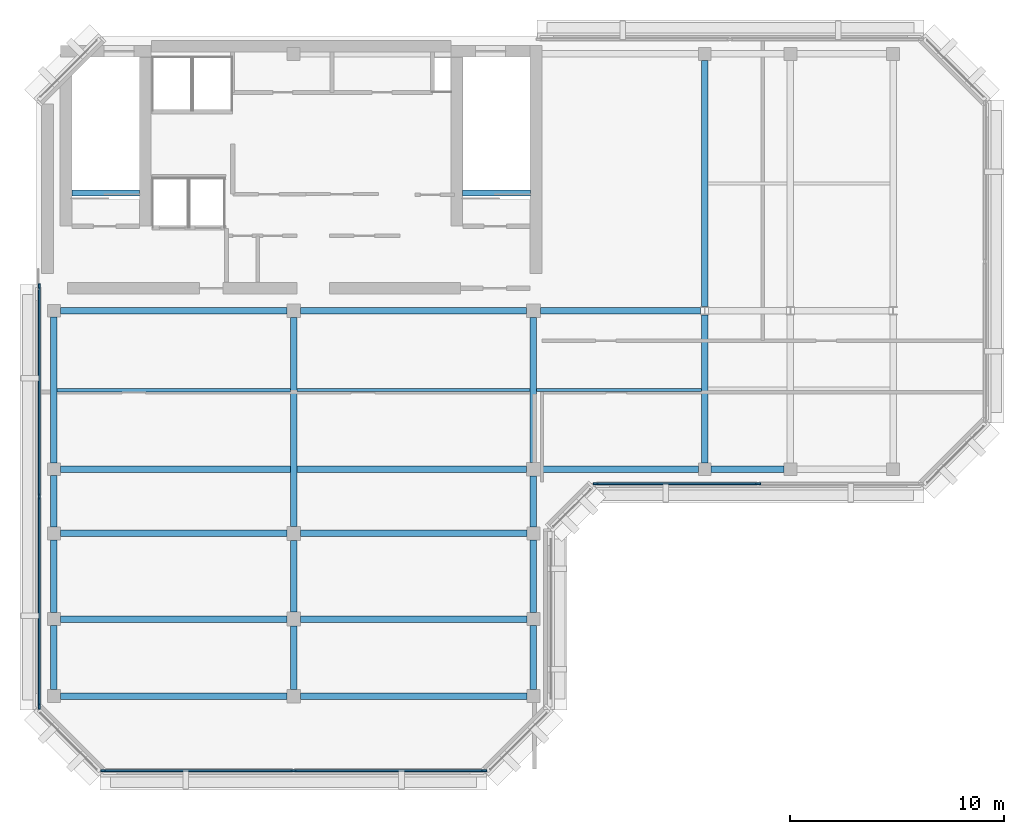
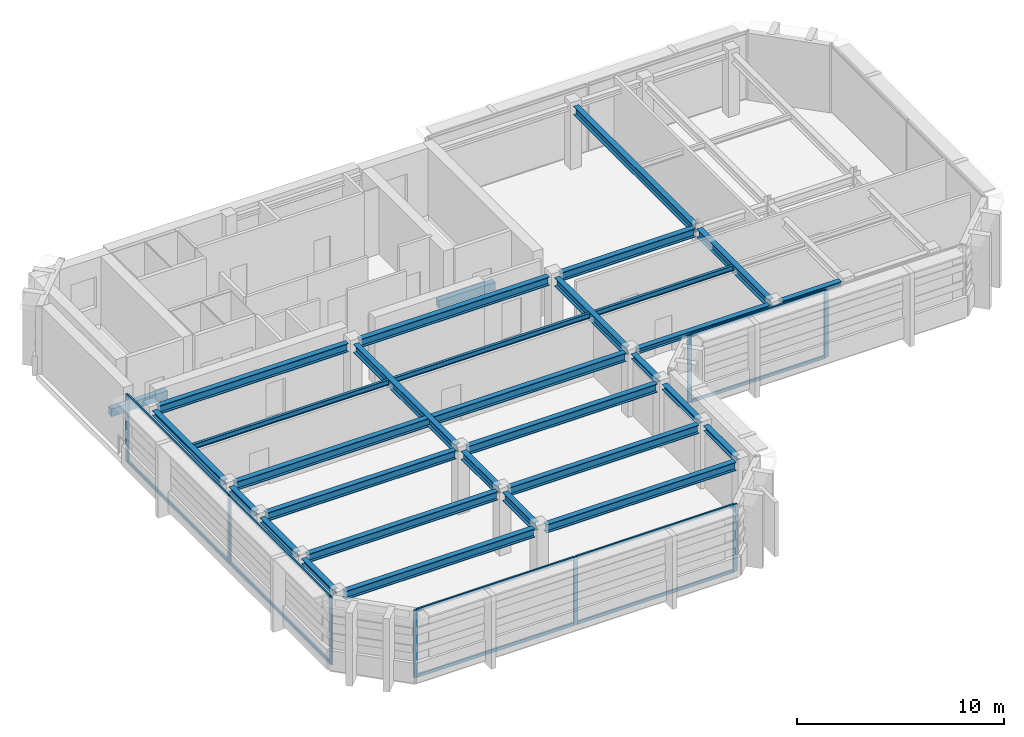
# One storey, part 2 of 7: 30 beams, 18 members, 3 elements without a shape of their own.
"""IFC4 building model written with IfcOpenShell, lengths in metres."""

import ifcopenshell
import ifcopenshell.guid

model = None  # the IFC model being written
_history = None  # IfcOwnerHistory: only IFC2X3 demands one
_inside = {}  # id of a spatial element -> (the spatial element, [elements in it])
_under = {}  # id of a project, library or spatial element -> (it, [spatial elements below it])
_declared = {}  # id of a project -> (the project, [libraries it declares])
_typed = {}  # id of a type object -> (the type object, [elements of that type])
_made_of = {}  # id of a material, layer set ... -> (it, [elements and type objects made of it])


def new_model(schema):
    """Start an empty IFC model of exactly this schema.

    Asked for "IFC4X3", IfcOpenShell would pick the latest addendum, in which some entities
    have other attributes; the version numbers below select the first issue.
    IFC2X3 requires an IfcOwnerHistory on every rooted entity: one is made here for all.
    """
    global model, _history
    if schema == "IFC4X3":
        model = ifcopenshell.file(schema_version=(4, 3, 0, 0))
    else:
        model = ifcopenshell.file(schema=schema)
    _inside.clear()
    _under.clear()
    _declared.clear()
    _typed.clear()
    _made_of.clear()
    _history = None
    if model.schema == "IFC2X3":
        org = make("IfcOrganization", Name="unknown")
        user = make(
            "IfcPersonAndOrganization",
            ThePerson=make("IfcPerson", FamilyName="unknown"),
            TheOrganization=org,
        )
        app = make(
            "IfcApplication",
            ApplicationDeveloper=org,
            Version="unknown",
            ApplicationFullName="unknown",
            ApplicationIdentifier="unknown",
        )
        _history = make(
            "IfcOwnerHistory",
            OwningUser=user,
            OwningApplication=app,
            ChangeAction="ADDED",
            CreationDate=0,
        )
    return model


def make(cls, **values):
    """One entity of the class cls with the attributes given. An attribute that is None is left unset."""
    return model.create_entity(
        cls, **{name: value for name, value in values.items() if value is not None}
    )


def rooted(cls, **values):
    """An entity with a GlobalId (a new one), such as an element, a storey or a relation."""
    return make(cls, GlobalId=ifcopenshell.guid.new(), OwnerHistory=_history, **values)


def si_unit(unit_type, name, prefix=None):
    """IfcSIUnit, for example si_unit("LENGTHUNIT", "METRE", prefix="MILLI")."""
    return make("IfcSIUnit", UnitType=unit_type, Prefix=prefix, Name=name)


def assignment(units):
    """IfcUnitAssignment: the units of a project."""
    return None if units is None else make("IfcUnitAssignment", Units=units)


def point(xyz):
    """IfcCartesianPoint."""
    return None if xyz is None else make("IfcCartesianPoint", Coordinates=xyz)


def direction(xyz):
    """IfcDirection."""
    return None if xyz is None else make("IfcDirection", DirectionRatios=xyz)


def frame(location, z_axis=None, x_axis=None):
    """IfcAxis2Placement3D, a coordinate frame: its origin and axes. An axis left out is left unset."""
    return make(
        "IfcAxis2Placement3D",
        Location=point(location),
        Axis=direction(z_axis),
        RefDirection=direction(x_axis),
    )


def frame_2d(location, x_axis=None):
    """IfcAxis2Placement2D, a coordinate frame in the plane: its origin and x axis."""
    return make(
        "IfcAxis2Placement2D", Location=point(location), RefDirection=direction(x_axis)
    )


def origin():
    """The frame at (0, 0, 0) with its axes left unset."""
    return frame((0.0, 0.0, 0.0))


def origin_2d():
    """The frame at (0, 0) in the plane with its x axis left unset."""
    return frame_2d((0.0, 0.0))


def place(relative_to, where):
    """IfcLocalPlacement: puts the frame where relative to a parent placement (None: the world)."""
    return make(
        "IfcLocalPlacement", PlacementRelTo=relative_to, RelativePlacement=where
    )


def context(
    kind, dimensions, precision=None, world=None, true_north=None, identifier=None
):
    """IfcGeometricRepresentationContext, for example the 3D "Model" context."""
    return make(
        "IfcGeometricRepresentationContext",
        ContextIdentifier=identifier,
        ContextType=kind,
        CoordinateSpaceDimension=dimensions,
        Precision=precision,
        WorldCoordinateSystem=world,
        TrueNorth=true_north,
    )


def subcontext(parent, identifier, kind, view, scale=None):
    """IfcGeometricRepresentationSubContext, for example "Body" below "Model"."""
    return make(
        "IfcGeometricRepresentationSubContext",
        ContextIdentifier=identifier,
        ContextType=kind,
        ParentContext=parent,
        TargetScale=scale,
        TargetView=view,
    )


def project(units=None, contexts=None):
    """IfcProject with its units and contexts."""
    return rooted(
        "IfcProject",
        Name="project",
        RepresentationContexts=contexts,
        UnitsInContext=assignment(units),
    )


def spatial(cls, under=None, at=None, **own):
    """A site, building, storey or space (cls), placed at a placement, below another one or the project."""
    s = rooted(cls, ObjectPlacement=at, **own)
    if under is not None:
        _under.setdefault(under.id(), (under, []))[1].append(s)
    return s


def profile(cls, at=None, kind="AREA", **sizes):
    """A parametric profile (cls). Its sizes go by their IFC names, for example OverallWidth=200.0."""
    return make(cls, ProfileType=kind, Position=at, **sizes)


def rectangle(**sizes):
    """IfcRectangleProfileDef."""
    return profile("IfcRectangleProfileDef", **sizes)


def i_section(**sizes):
    """IfcIShapeProfileDef."""
    return profile("IfcIShapeProfileDef", **sizes)


def extrude(swept, where, along, depth):
    """IfcExtrudedAreaSolid: the profile swept, set in the frame where, extruded along a direction by depth."""
    return make(
        "IfcExtrudedAreaSolid",
        SweptArea=swept,
        Position=where,
        ExtrudedDirection=direction(along),
        Depth=depth,
    )


def shape(context_of_items, identifier, shape_type, items):
    """IfcShapeRepresentation: the items that make up one representation, for example the "Body"."""
    return make(
        "IfcShapeRepresentation",
        ContextOfItems=context_of_items,
        RepresentationIdentifier=identifier,
        RepresentationType=shape_type,
        Items=items,
    )


def material(Name=None, Category=None):
    """IfcMaterial."""
    return make("IfcMaterial", Name=Name, Category=Category)


def layer(
    of_material, thickness, ventilated=None, Name=None, Category=None, Priority=None
):
    """IfcMaterialLayer: one layer of a wall or slab, of a material (None: an air gap)."""
    return make(
        "IfcMaterialLayer",
        Material=of_material,
        LayerThickness=thickness,
        IsVentilated=ventilated,
        Name=Name,
        Category=Category,
        Priority=Priority,
    )


def layer_set(layers, Name=None):
    """IfcMaterialLayerSet."""
    return make("IfcMaterialLayerSet", MaterialLayers=layers, LayerSetName=Name)


def material_profile(
    of_material, cross_section, Name=None, Category=None, Priority=None
):
    """IfcMaterialProfile: a cross section and its material."""
    return make(
        "IfcMaterialProfile",
        Name=Name,
        Material=of_material,
        Profile=cross_section,
        Priority=Priority,
        Category=Category,
    )


def profile_set(profiles, Name=None, composite=None):
    """IfcMaterialProfileSet."""
    return make(
        "IfcMaterialProfileSet",
        Name=Name,
        MaterialProfiles=profiles,
        CompositeProfile=composite,
    )


def made_of(thing, what):
    """Note that an element or type object is made of a material, layer set ...; save() writes the relation."""
    if what is not None:
        _made_of.setdefault(what.id(), (what, []))[1].append(thing)
    return thing


def type_object(cls, material=None, **own):
    """A type object (cls), such as IfcWallType, which elements share."""
    return made_of(rooted(cls, **own), material)


def element(
    cls,
    number,
    at=None,
    inside=None,
    cuts=None,
    type_object=None,
    material=None,
    context=None,
    identifier="Body",
    shape_type=None,
    held_by="IfcProductDefinitionShape",
    body=None,
    shapes=None,
    **own,
):
    """One element of the class cls, such as IfcWall. Its Tag is "e" and its number.

    at: its placement. inside: the storey or other place that contains it. cuts: it is an
    opening in that element (IfcRelVoidsElement). A single representation is given by context,
    identifier, shape_type and body (its items); several are given by shapes. held_by: the class
    of the entity that holds the representations. save() writes the other relations.
    """
    e = rooted(cls, Tag="e%d" % number, ObjectPlacement=at, **own)
    if body is not None:
        shapes = [shape(context, identifier, shape_type, body)]
    if shapes is not None:
        e.Representation = make(held_by, Representations=shapes)
    if inside is not None:
        _inside.setdefault(inside.id(), (inside, []))[1].append(e)
    if cuts is not None:
        rooted(
            "IfcRelVoidsElement", RelatingBuildingElement=cuts, RelatedOpeningElement=e
        )
    if type_object is not None:
        _typed.setdefault(type_object.id(), (type_object, []))[1].append(e)
    return made_of(e, material)


def aggregate(whole, parts):
    """IfcRelAggregates: a whole, such as a stair, and the parts it consists of."""
    return rooted("IfcRelAggregates", RelatingObject=whole, RelatedObjects=parts)


def save(model, path):
    """Write the relations noted so far, then the file.

    IfcRelAggregates (storeys below a building ...), IfcRelContainedInSpatialStructure (elements
    in a storey), IfcRelDefinesByType, IfcRelAssociatesMaterial and IfcRelDeclares: one each for
    every whole, place, type object, material and project.
    """
    for whole, parts in _under.values():
        aggregate(whole, parts)
    for where, things in _inside.values():
        rooted(
            "IfcRelContainedInSpatialStructure",
            RelatedElements=things,
            RelatingStructure=where,
        )
    for kind, things in _typed.values():
        rooted("IfcRelDefinesByType", RelatedObjects=things, RelatingType=kind)
    for what, things in _made_of.values():
        rooted("IfcRelAssociatesMaterial", RelatedObjects=things, RelatingMaterial=what)
    for by, libraries in _declared.values():
        rooted("IfcRelDeclares", RelatingContext=by, RelatedDefinitions=libraries)
    model.write(path)


model = new_model("IFC4")

# Units and contexts
model_context = context("Model", 3, precision=1e-05, world=origin(), true_north=direction((0.0, 1.0)))
body_context = subcontext(model_context, "Body", "Model", "MODEL_VIEW")
ifc_project = project(units=[si_unit("LENGTHUNIT", "METRE"), si_unit("AREAUNIT", "SQUARE_METRE"), si_unit("VOLUMEUNIT", "CUBIC_METRE"), si_unit("PLANEANGLEUNIT", "RADIAN"), si_unit("MASSUNIT", "GRAM", prefix="KILO")], contexts=[model_context])

# Site, building, storey
site_placement = place(None, origin())
site = spatial("IfcSite", under=ifc_project, at=site_placement, CompositionType="ELEMENT")
building_placement = place(site_placement, origin())
building = spatial("IfcBuilding", under=site, at=building_placement, Name="Kefirva Bronze Tower", CompositionType="ELEMENT")
storey_placement = place(building_placement, frame((0.0, 0.0, 369.929931640625)))
storey = spatial("IfcBuildingStorey", under=building, at=storey_placement, Name="L90", CompositionType="ELEMENT", Elevation=369.929931640625)

# Curtain wall, members
ifc_material_1 = material(Name="Bronze anodised aluminium", Category="aluminium")
ifc_layer = layer(ifc_material_1, 0.219970703125, Name="Bronze anodised aluminium")
ifc_layer_set = layer_set([ifc_layer], Name="Bronze anodised aluminium")
curtain_wall_type = type_object("IfcCurtainWallType", Name="Refuge Acoustic Louvre Curtain Screen", PredefinedType="USERDEFINED", material=ifc_layer_set)
curtain_wall_1_placement = place(storey_placement, origin())
curtain_wall_1 = element("IfcCurtainWall", 1, at=curtain_wall_1_placement, inside=storey, type_object=curtain_wall_type, Name="L90 Curtain Wall 1", ObjectType="LOUVRE SCREEN WALL", PredefinedType="USERDEFINED")
ifc_material_profile_1 = material_profile(ifc_material_1, rectangle(XDim=0.090087890625, YDim=0.219970703125, at=origin_2d()), Name="ALU 90x220")
ifc_profile_set_1 = profile_set([ifc_material_profile_1], Name="Bronze anodised aluminium")
member_type_1 = type_object("IfcMemberType", Name="Bronze Mullion 90x220", PredefinedType="MULLION", material=ifc_profile_set_1)
member_1_placement = place(storey_placement, frame((3.10009765625, 11.719970703125, 0.0), z_axis=(0.0, 0.0, 1.0), x_axis=(0.0, 1.0, 0.0)))
member_1 = element("IfcMember", 2, at=member_1_placement, type_object=member_type_1, Name="CW-06 mullion 1", PredefinedType="MULLION", context=body_context, shape_type="SweptSolid", body=[
    extrude(rectangle(XDim=0.090087890625, YDim=0.219970703125, at=origin_2d()), origin(), (0.0, 0.0, 1.0), 3.9599609375),
])
member_2_placement = place(storey_placement, frame((12.0, 11.719970703125, 0.0), z_axis=(0.0, 0.0, 1.0), x_axis=(0.0, 1.0, 0.0)))
member_2 = element("IfcMember", 3, at=member_2_placement, type_object=member_type_1, Name="CW-06 mullion 2", PredefinedType="MULLION", context=body_context, shape_type="SweptSolid", body=[
    extrude(rectangle(XDim=0.090087890625, YDim=0.219970703125, at=origin_2d()), origin(), (0.0, 0.0, 1.0), 3.9599609375),
])
member_3_placement = place(storey_placement, frame((20.89990234375, 11.719970703125, 0.0), z_axis=(0.0, 0.0, 1.0), x_axis=(0.0, 1.0, 0.0)))
member_3 = element("IfcMember", 4, at=member_3_placement, type_object=member_type_1, Name="CW-06 mullion 3", PredefinedType="MULLION", context=body_context, shape_type="SweptSolid", body=[
    extrude(rectangle(XDim=0.090087890625, YDim=0.219970703125, at=origin_2d()), origin(), (0.0, 0.0, 1.0), 3.9599609375),
])

curtain_wall_2_placement = place(storey_placement, origin())
curtain_wall_2 = element("IfcCurtainWall", 5, at=curtain_wall_2_placement, inside=storey, type_object=curtain_wall_type, Name="L90 Curtain Wall 2", ObjectType="LOUVRE SCREEN WALL", PredefinedType="USERDEFINED")
member_4_placement = place(storey_placement, frame((26.10009765625, 25.1201171875, 0.0), z_axis=(0.0, 0.0, 1.0), x_axis=(0.0, 1.0, 0.0)))
member_4 = element("IfcMember", 6, at=member_4_placement, type_object=member_type_1, Name="CW-06 mullion 1", PredefinedType="MULLION", context=body_context, shape_type="SweptSolid", body=[
    extrude(rectangle(XDim=0.090087890625, YDim=0.219970703125, at=origin_2d()), origin(), (0.0, 0.0, 1.0), 3.9599609375),
])
member_5_placement = place(storey_placement, frame((33.699951171875, 25.1201171875, 0.0), z_axis=(0.0, 0.0, 1.0), x_axis=(0.0, 1.0, 0.0)))
member_5 = element("IfcMember", 7, at=member_5_placement, type_object=member_type_1, Name="CW-06 mullion 2", PredefinedType="MULLION", context=body_context, shape_type="SweptSolid", body=[
    extrude(rectangle(XDim=0.090087890625, YDim=0.219970703125, at=origin_2d()), origin(), (0.0, 0.0, 1.0), 3.9599609375),
])

curtain_wall_3_placement = place(storey_placement, origin())
curtain_wall_3 = element("IfcCurtainWall", 8, at=curtain_wall_3_placement, inside=storey, type_object=curtain_wall_type, Name="L90 Curtain Wall 5", ObjectType="LOUVRE SCREEN WALL", PredefinedType="USERDEFINED")
member_6_placement = place(storey_placement, frame((0.1201171875, 34.35009765625, 0.0), z_axis=(0.0, 0.0, 1.0), x_axis=(1.0, 0.0, 0.0)))
member_6 = element("IfcMember", 9, at=member_6_placement, type_object=member_type_1, Name="CW-06 mullion 1", PredefinedType="MULLION", context=body_context, shape_type="SweptSolid", body=[
    extrude(rectangle(XDim=0.090087890625, YDim=0.219970703125, at=origin_2d()), origin(), (0.0, 0.0, 1.0), 3.9599609375),
])
member_7_placement = place(storey_placement, frame((0.1201171875, 24.52490234375, 0.0), z_axis=(0.0, 0.0, 1.0), x_axis=(1.0, 0.0, 0.0)))
member_7 = element("IfcMember", 10, at=member_7_placement, type_object=member_type_1, Name="CW-06 mullion 2", PredefinedType="MULLION", context=body_context, shape_type="SweptSolid", body=[
    extrude(rectangle(XDim=0.090087890625, YDim=0.219970703125, at=origin_2d()), origin(), (0.0, 0.0, 1.0), 3.9599609375),
])
member_8_placement = place(storey_placement, frame((0.1201171875, 14.699951171875, 0.0), z_axis=(0.0, 0.0, 1.0), x_axis=(1.0, 0.0, 0.0)))
member_8 = element("IfcMember", 11, at=member_8_placement, type_object=member_type_1, Name="CW-06 mullion 3", PredefinedType="MULLION", context=body_context, shape_type="SweptSolid", body=[
    extrude(rectangle(XDim=0.090087890625, YDim=0.219970703125, at=origin_2d()), origin(), (0.0, 0.0, 1.0), 3.9599609375),
])

# Member
ifc_material_profile_2 = material_profile(ifc_material_1, rectangle(XDim=0.090087890625, YDim=0.179931640625, at=origin_2d()), Name="ALU 90x180")
ifc_profile_set_2 = profile_set([ifc_material_profile_2], Name="Bronze anodised aluminium")
member_type_2 = type_object("IfcMemberType", Name="Bronze Transom 90x180", PredefinedType="USERDEFINED", material=ifc_profile_set_2)
member_9_placement = place(storey_placement, frame((3.14501953125, 11.719970703125, 0.045166015625), z_axis=(1.0, 0.0, 0.0), x_axis=(0.0, 1.0, 0.0)))
member_9 = element("IfcMember", 12, at=member_9_placement, type_object=member_type_2, Name="CW-06 transom 1.1", ObjectType="TRANSOM", PredefinedType="USERDEFINED", context=body_context, shape_type="SweptSolid", body=[
    extrude(rectangle(XDim=0.090087890625, YDim=0.179931640625, at=origin_2d()), origin(), (0.0, 0.0, 1.0), 8.81005859375),
])

member_10_placement = place(storey_placement, frame((3.14501953125, 11.719970703125, 3.9150390625), z_axis=(1.0, 0.0, 0.0), x_axis=(0.0, 1.0, 0.0)))
member_10 = element("IfcMember", 13, at=member_10_placement, type_object=member_type_2, Name="CW-06 transom 1.2", ObjectType="TRANSOM", PredefinedType="USERDEFINED", context=body_context, shape_type="SweptSolid", body=[
    extrude(rectangle(XDim=0.090087890625, YDim=0.179931640625, at=origin_2d()), origin(), (0.0, 0.0, 1.0), 8.81005859375),
])

member_11_placement = place(storey_placement, frame((12.044921875, 11.719970703125, 0.045166015625), z_axis=(1.0, 0.0, 0.0), x_axis=(0.0, 1.0, 0.0)))
member_11 = element("IfcMember", 14, at=member_11_placement, type_object=member_type_2, Name="CW-06 transom 2.1", ObjectType="TRANSOM", PredefinedType="USERDEFINED", context=body_context, shape_type="SweptSolid", body=[
    extrude(rectangle(XDim=0.090087890625, YDim=0.179931640625, at=origin_2d()), origin(), (0.0, 0.0, 1.0), 8.81005859375),
])

member_12_placement = place(storey_placement, frame((12.044921875, 11.719970703125, 3.9150390625), z_axis=(1.0, 0.0, 0.0), x_axis=(0.0, 1.0, 0.0)))
member_12 = element("IfcMember", 15, at=member_12_placement, type_object=member_type_2, Name="CW-06 transom 2.2", ObjectType="TRANSOM", PredefinedType="USERDEFINED", context=body_context, shape_type="SweptSolid", body=[
    extrude(rectangle(XDim=0.090087890625, YDim=0.179931640625, at=origin_2d()), origin(), (0.0, 0.0, 1.0), 8.81005859375),
])

aggregate(curtain_wall_1, [member_1, member_2, member_3, member_9, member_10, member_11, member_12])

member_13_placement = place(storey_placement, frame((26.14501953125, 25.1201171875, 0.045166015625), z_axis=(1.0, 0.0, 0.0), x_axis=(0.0, 1.0, 0.0)))
member_13 = element("IfcMember", 16, at=member_13_placement, type_object=member_type_2, Name="CW-06 transom 1.1", ObjectType="TRANSOM", PredefinedType="USERDEFINED", context=body_context, shape_type="SweptSolid", body=[
    extrude(rectangle(XDim=0.090087890625, YDim=0.179931640625, at=origin_2d()), origin(), (0.0, 0.0, 1.0), 7.510009765625),
])

member_14_placement = place(storey_placement, frame((26.14501953125, 25.1201171875, 3.9150390625), z_axis=(1.0, 0.0, 0.0), x_axis=(0.0, 1.0, 0.0)))
member_14 = element("IfcMember", 17, at=member_14_placement, type_object=member_type_2, Name="CW-06 transom 1.2", ObjectType="TRANSOM", PredefinedType="USERDEFINED", context=body_context, shape_type="SweptSolid", body=[
    extrude(rectangle(XDim=0.090087890625, YDim=0.179931640625, at=origin_2d()), origin(), (0.0, 0.0, 1.0), 7.510009765625),
])

aggregate(curtain_wall_2, [member_4, member_5, member_13, member_14])

member_15_placement = place(storey_placement, frame((0.1201171875, 34.304931640625, 0.045166015625), z_axis=(0.0, -1.0, 0.0), x_axis=(1.0, 0.0, 0.0)))
member_15 = element("IfcMember", 18, at=member_15_placement, type_object=member_type_2, Name="CW-06 transom 1.1", ObjectType="TRANSOM", PredefinedType="USERDEFINED", context=body_context, shape_type="SweptSolid", body=[
    extrude(rectangle(XDim=0.090087890625, YDim=0.179931640625, at=origin_2d()), origin(), (0.0, 0.0, 1.0), 9.73486328125),
])

member_16_placement = place(storey_placement, frame((0.1201171875, 34.304931640625, 3.9150390625), z_axis=(0.0, -1.0, 0.0), x_axis=(1.0, 0.0, 0.0)))
member_16 = element("IfcMember", 19, at=member_16_placement, type_object=member_type_2, Name="CW-06 transom 1.2", ObjectType="TRANSOM", PredefinedType="USERDEFINED", context=body_context, shape_type="SweptSolid", body=[
    extrude(rectangle(XDim=0.090087890625, YDim=0.179931640625, at=origin_2d()), origin(), (0.0, 0.0, 1.0), 9.73486328125),
])

member_17_placement = place(storey_placement, frame((0.1201171875, 24.47998046875, 0.045166015625), z_axis=(0.0, -1.0, 0.0), x_axis=(1.0, 0.0, 0.0)))
member_17 = element("IfcMember", 20, at=member_17_placement, type_object=member_type_2, Name="CW-06 transom 2.1", ObjectType="TRANSOM", PredefinedType="USERDEFINED", context=body_context, shape_type="SweptSolid", body=[
    extrude(rectangle(XDim=0.090087890625, YDim=0.179931640625, at=origin_2d()), origin(), (0.0, 0.0, 1.0), 9.73486328125),
])

member_18_placement = place(storey_placement, frame((0.1201171875, 24.47998046875, 3.9150390625), z_axis=(0.0, -1.0, 0.0), x_axis=(1.0, 0.0, 0.0)))
member_18 = element("IfcMember", 21, at=member_18_placement, type_object=member_type_2, Name="CW-06 transom 2.2", ObjectType="TRANSOM", PredefinedType="USERDEFINED", context=body_context, shape_type="SweptSolid", body=[
    extrude(rectangle(XDim=0.090087890625, YDim=0.179931640625, at=origin_2d()), origin(), (0.0, 0.0, 1.0), 9.73486328125),
])

aggregate(curtain_wall_3, [member_6, member_7, member_8, member_15, member_16, member_17, member_18])

# Beams
ifc_material_2 = material(Name="Concrete C50/60", Category="concrete")
ifc_material_profile_3 = material_profile(ifc_material_2, rectangle(XDim=0.300048828125, YDim=0.449951171875, at=origin_2d()), Name="RC 300x450")
ifc_profile_set_3 = profile_set([ifc_material_profile_3], Name="Concrete C50/60")
beam_type_1 = type_object("IfcBeamType", Name="RC Stair Trimmer Beam 300x450", PredefinedType="BEAM", material=ifc_profile_set_3)
beam_1_placement = place(storey_placement, frame((1.64501953125, 38.699951171875, -0.224853515625), z_axis=(1.0, 0.0, 0.0), x_axis=(0.0, 1.0, 0.0)))
element("IfcBeam", 22, at=beam_1_placement, inside=storey, type_object=beam_type_1, Name="L90 Stair 1 Landing Trimmer Beam", PredefinedType="BEAM", context=body_context, shape_type="SweptSolid", body=[
    extrude(rectangle(XDim=0.300048828125, YDim=0.449951171875, at=origin_2d()), origin(), (0.0, 0.0, 1.0), 3.14990234375),
])
beam_2_placement = place(storey_placement, frame((19.89501953125, 38.699951171875, -0.224853515625), z_axis=(1.0, 0.0, 0.0), x_axis=(0.0, 1.0, 0.0)))
element("IfcBeam", 23, at=beam_2_placement, inside=storey, type_object=beam_type_1, Name="L90 Stair 2 Landing Trimmer Beam", PredefinedType="BEAM", context=body_context, shape_type="SweptSolid", body=[
    extrude(rectangle(XDim=0.300048828125, YDim=0.449951171875, at=origin_2d()), origin(), (0.0, 0.0, 1.0), 3.159912109375),
])
ifc_material_3 = material(Name="Steel S355", Category="steel")
ifc_material_profile_4 = material_profile(ifc_material_3, i_section(OverallWidth=0.14990234375, OverallDepth=0.300048828125, WebThickness=0.007080078125, FlangeThickness=0.0107421875, at=origin_2d()), Name="IPE 300")
ifc_profile_set_4 = profile_set([ifc_material_profile_4], Name="Steel S355")
beam_type_2 = type_object("IfcBeamType", Name="Steel Floor Joist IPE 300", PredefinedType="JOIST", material=ifc_profile_set_4)
for number, where, z_axis, x_axis, name in (
    (24, (0.949951171875, 29.489990234375, 3.550048828125), (1.0, 0.0, 0.0), (0.0, 1.0, 0.0), "L90 JST-L90-0-294"),
    (25, (12.14990234375, 29.5, 3.550048828125), (1.0, 0.0, 0.0), (0.0, 1.0, 0.0), "L90 JST-L90-12-295"),
):
    element("IfcBeam", number, at=place(storey_placement, frame(where, z_axis=z_axis, x_axis=x_axis)), inside=storey, type_object=beam_type_2, Name=name, PredefinedType="JOIST", context=body_context, shape_type="SweptSolid", body=[
        extrude(i_section(OverallWidth=0.14990234375, OverallDepth=0.300048828125, WebThickness=0.007080078125, FlangeThickness=0.0107421875, at=origin_2d()), origin(), (0.0, 0.0, 1.0), 10.900146484375),
    ])
beam_3_placement = place(storey_placement, frame((23.35009765625, 29.5, 3.550048828125), z_axis=(1.0, 0.0, 0.0), x_axis=(0.0, 1.0, 0.0)))
element("IfcBeam", 26, at=beam_3_placement, inside=storey, type_object=beam_type_2, Name="L90 JST-L90-23-295", PredefinedType="JOIST", context=body_context, shape_type="SweptSolid", body=[
    extrude(i_section(OverallWidth=0.14990234375, OverallDepth=0.300048828125, WebThickness=0.007080078125, FlangeThickness=0.0107421875, at=origin_2d()), origin(), (0.0, 0.0, 1.0), 7.699951171875),
])
ifc_material_profile_5 = material_profile(ifc_material_3, i_section(OverallWidth=0.300048828125, OverallDepth=0.5, WebThickness=0.014404296875, FlangeThickness=0.028076171875, at=origin_2d()), Name="HEB 500")
ifc_profile_set_5 = profile_set([ifc_material_profile_5], Name="Steel S355")
beam_type_3 = type_object("IfcBeamType", Name="Steel Girder HEB 500", PredefinedType="USERDEFINED", material=ifc_profile_set_5)
for number, where, z_axis, x_axis, name in (
    (27, (1.10009765625, 15.199951171875, 3.449951171875), (1.0, 0.0, 0.0), (0.0, 1.0, 0.0), "L90 BM-L90-EW-0-152"),
    (28, (12.320068359375, 15.199951171875, 3.449951171875), (1.0, 0.0, 0.0), (0.0, 1.0, 0.0), "L90 BM-L90-EW-12-152"),
    (29, (1.10009765625, 18.800048828125, 3.449951171875), (1.0, 0.0, 0.0), (0.0, 1.0, 0.0), "L90 BM-L90-EW-0-188"),
    (30, (12.320068359375, 18.800048828125, 3.449951171875), (1.0, 0.0, 0.0), (0.0, 1.0, 0.0), "L90 BM-L90-EW-12-188"),
    (31, (1.10009765625, 22.800048828125, 3.449951171875), (1.0, 0.0, 0.0), (0.0, 1.0, 0.0), "L90 BM-L90-EW-0-228"),
    (32, (12.320068359375, 22.800048828125, 3.449951171875), (1.0, 0.0, 0.0), (0.0, 1.0, 0.0), "L90 BM-L90-EW-12-228"),
):
    element("IfcBeam", number, at=place(storey_placement, frame(where, z_axis=z_axis, x_axis=x_axis)), inside=storey, type_object=beam_type_3, Name=name, ObjectType="GIRDER", PredefinedType="USERDEFINED", context=body_context, shape_type="SweptSolid", body=[
        extrude(i_section(OverallWidth=0.300048828125, OverallDepth=0.5, WebThickness=0.014404296875, FlangeThickness=0.028076171875, at=origin_2d()), origin(), (0.0, 0.0, 1.0), 10.579833984375),
    ])
beam_4_placement = place(storey_placement, frame((1.10009765625, 25.800048828125, 3.449951171875), z_axis=(1.0, 0.0, 0.0), x_axis=(0.0, 1.0, 0.0)))
element("IfcBeam", 33, at=beam_4_placement, inside=storey, type_object=beam_type_3, Name="L90 BM-L90-EW-0-258", ObjectType="GIRDER", PredefinedType="USERDEFINED", context=body_context, shape_type="SweptSolid", body=[
    extrude(i_section(OverallWidth=0.300048828125, OverallDepth=0.5, WebThickness=0.014404296875, FlangeThickness=0.028076171875, at=origin_2d()), origin(), (0.0, 0.0, 1.0), 21.77978515625),
])
beam_5_placement = place(storey_placement, frame((1.10009765625, 33.199951171875, 3.449951171875), z_axis=(1.0, 0.0, 0.0), x_axis=(0.0, 1.0, 0.0)))
element("IfcBeam", 34, at=beam_5_placement, inside=storey, type_object=beam_type_3, Name="L90 BM-L90-EW-0-332", ObjectType="GIRDER", PredefinedType="USERDEFINED", context=body_context, shape_type="SweptSolid", body=[
    extrude(i_section(OverallWidth=0.300048828125, OverallDepth=0.5, WebThickness=0.014404296875, FlangeThickness=0.028076171875, at=origin_2d()), origin(), (0.0, 0.0, 1.0), 10.579833984375),
])
beam_6_placement = place(storey_placement, frame((12.320068359375, 33.199951171875, 3.449951171875), z_axis=(1.0, 0.0, 0.0), x_axis=(0.0, 1.0, 0.0)))
element("IfcBeam", 35, at=beam_6_placement, inside=storey, type_object=beam_type_3, Name="L90 BM-L90-EW-12-332", ObjectType="GIRDER", PredefinedType="USERDEFINED", context=body_context, shape_type="SweptSolid", body=[
    extrude(i_section(OverallWidth=0.300048828125, OverallDepth=0.5, WebThickness=0.014404296875, FlangeThickness=0.028076171875, at=origin_2d()), origin(), (0.0, 0.0, 1.0), 10.559814453125),
])
beam_7_placement = place(storey_placement, frame((23.52001953125, 33.199951171875, 3.449951171875), z_axis=(1.0, 0.0, 0.0), x_axis=(0.0, 1.0, 0.0)))
element("IfcBeam", 36, at=beam_7_placement, inside=storey, type_object=beam_type_3, Name="L90 BM-L90-EW-23-332", ObjectType="GIRDER", PredefinedType="USERDEFINED", context=body_context, shape_type="SweptSolid", body=[
    extrude(i_section(OverallWidth=0.300048828125, OverallDepth=0.5, WebThickness=0.014404296875, FlangeThickness=0.028076171875, at=origin_2d()), origin(), (0.0, 0.0, 1.0), 7.491455078125),
])
beam_8_placement = place(storey_placement, frame((12.0, 15.52001953125, 3.449951171875), z_axis=(0.0, 1.0, 0.0), x_axis=(-1.0, 0.0, 0.0)))
element("IfcBeam", 37, at=beam_8_placement, inside=storey, type_object=beam_type_3, Name="L90 BM-L90-NS-120-15", ObjectType="GIRDER", PredefinedType="USERDEFINED", context=body_context, shape_type="SweptSolid", body=[
    extrude(i_section(OverallWidth=0.300048828125, OverallDepth=0.5, WebThickness=0.014404296875, FlangeThickness=0.028076171875, at=origin_2d()), origin(), (0.0, 0.0, 1.0), 2.9599609375),
])
beam_9_placement = place(storey_placement, frame((12.0, 19.1201171875, 3.449951171875), z_axis=(0.0, 1.0, 0.0), x_axis=(-1.0, 0.0, 0.0)))
element("IfcBeam", 38, at=beam_9_placement, inside=storey, type_object=beam_type_3, Name="L90 BM-L90-NS-120-18", ObjectType="GIRDER", PredefinedType="USERDEFINED", context=body_context, shape_type="SweptSolid", body=[
    extrude(i_section(OverallWidth=0.300048828125, OverallDepth=0.5, WebThickness=0.014404296875, FlangeThickness=0.028076171875, at=origin_2d()), origin(), (0.0, 0.0, 1.0), 3.35986328125),
])
beam_10_placement = place(storey_placement, frame((12.0, 23.1201171875, 3.449951171875), z_axis=(0.0, 1.0, 0.0), x_axis=(-1.0, 0.0, 0.0)))
element("IfcBeam", 39, at=beam_10_placement, inside=storey, type_object=beam_type_3, Name="L90 BM-L90-NS-120-22", ObjectType="GIRDER", PredefinedType="USERDEFINED", context=body_context, shape_type="SweptSolid", body=[
    extrude(i_section(OverallWidth=0.300048828125, OverallDepth=0.5, WebThickness=0.014404296875, FlangeThickness=0.028076171875, at=origin_2d()), origin(), (0.0, 0.0, 1.0), 9.759765625),
])
beam_11_placement = place(storey_placement, frame((23.199951171875, 26.1201171875, 3.449951171875), z_axis=(0.0, 1.0, 0.0), x_axis=(-1.0, 0.0, 0.0)))
element("IfcBeam", 40, at=beam_11_placement, inside=storey, type_object=beam_type_3, Name="L90 BM-L90-NS-232-25", ObjectType="GIRDER", PredefinedType="USERDEFINED", context=body_context, shape_type="SweptSolid", body=[
    extrude(i_section(OverallWidth=0.300048828125, OverallDepth=0.5, WebThickness=0.014404296875, FlangeThickness=0.028076171875, at=origin_2d()), origin(), (0.0, 0.0, 1.0), 6.759765625),
])
beam_12_placement = place(storey_placement, frame((31.199951171875, 26.10009765625, 3.449951171875), z_axis=(0.0, 1.0, 0.0), x_axis=(-1.0, 0.0, 0.0)))
element("IfcBeam", 41, at=beam_12_placement, inside=storey, type_object=beam_type_3, Name="L90 BM-L90-NS-312-25", ObjectType="GIRDER", PredefinedType="USERDEFINED", context=body_context, shape_type="SweptSolid", body=[
    extrude(i_section(OverallWidth=0.300048828125, OverallDepth=0.5, WebThickness=0.014404296875, FlangeThickness=0.028076171875, at=origin_2d()), origin(), (0.0, 0.0, 1.0), 6.906494140625),
])
beam_13_placement = place(storey_placement, frame((31.199951171875, 33.3935546875, 3.449951171875), z_axis=(0.0, 1.0, 0.0), x_axis=(-1.0, 0.0, 0.0)))
element("IfcBeam", 42, at=beam_13_placement, inside=storey, type_object=beam_type_3, Name="L90 BM-L90-NS-312-33", ObjectType="GIRDER", PredefinedType="USERDEFINED", context=body_context, shape_type="SweptSolid", body=[
    extrude(i_section(OverallWidth=0.300048828125, OverallDepth=0.5, WebThickness=0.014404296875, FlangeThickness=0.028076171875, at=origin_2d()), origin(), (0.0, 0.0, 1.0), 11.50634765625),
])
ifc_material_profile_6 = material_profile(ifc_material_3, i_section(OverallWidth=0.300048828125, OverallDepth=0.300048828125, WebThickness=0.010986328125, FlangeThickness=0.01904296875, at=origin_2d()), Name="HEB 300")
ifc_profile_set_6 = profile_set([ifc_material_profile_6], Name="Steel S355")
beam_type_4 = type_object("IfcBeamType", Name="Steel Spandrel HEB 300 Ext", PredefinedType="SPANDREL", material=ifc_profile_set_6)
beam_14_placement = place(storey_placement, frame((23.52001953125, 25.800048828125, 3.550048828125), z_axis=(1.0, 0.0, 0.0), x_axis=(0.0, 1.0, 0.0)))
element("IfcBeam", 43, at=beam_14_placement, inside=storey, type_object=beam_type_4, Name="L90 BM-L90-EW-23-258", PredefinedType="SPANDREL", context=body_context, shape_type="SweptSolid", body=[
    extrude(i_section(OverallWidth=0.300048828125, OverallDepth=0.300048828125, WebThickness=0.010986328125, FlangeThickness=0.01904296875, at=origin_2d()), origin(), (0.0, 0.0, 1.0), 7.3798828125),
])
beam_15_placement = place(storey_placement, frame((31.5, 25.800048828125, 3.550048828125), z_axis=(1.0, 0.0, 0.0), x_axis=(0.0, 1.0, 0.0)))
element("IfcBeam", 44, at=beam_15_placement, inside=storey, type_object=beam_type_4, Name="L90 BM-L90-EW-31-258", PredefinedType="SPANDREL", context=body_context, shape_type="SweptSolid", body=[
    extrude(i_section(OverallWidth=0.300048828125, OverallDepth=0.300048828125, WebThickness=0.010986328125, FlangeThickness=0.01904296875, at=origin_2d()), origin(), (0.0, 0.0, 1.0), 3.39990234375),
])
beam_16_placement = place(storey_placement, frame((0.800048828125, 15.5, 3.550048828125), z_axis=(0.0, 1.0, 0.0), x_axis=(-1.0, 0.0, 0.0)))
element("IfcBeam", 45, at=beam_16_placement, inside=storey, type_object=beam_type_4, Name="L90 BM-L90-NS-8-15", PredefinedType="SPANDREL", context=body_context, shape_type="SweptSolid", body=[
    extrude(i_section(OverallWidth=0.300048828125, OverallDepth=0.300048828125, WebThickness=0.010986328125, FlangeThickness=0.01904296875, at=origin_2d()), origin(), (0.0, 0.0, 1.0), 3.0),
])
beam_17_placement = place(storey_placement, frame((0.800048828125, 19.10009765625, 3.550048828125), z_axis=(0.0, 1.0, 0.0), x_axis=(-1.0, 0.0, 0.0)))
element("IfcBeam", 46, at=beam_17_placement, inside=storey, type_object=beam_type_4, Name="L90 BM-L90-NS-8-18", PredefinedType="SPANDREL", context=body_context, shape_type="SweptSolid", body=[
    extrude(i_section(OverallWidth=0.300048828125, OverallDepth=0.300048828125, WebThickness=0.010986328125, FlangeThickness=0.01904296875, at=origin_2d()), origin(), (0.0, 0.0, 1.0), 3.39990234375),
])
beam_18_placement = place(storey_placement, frame((0.800048828125, 23.10009765625, 3.550048828125), z_axis=(0.0, 1.0, 0.0), x_axis=(-1.0, 0.0, 0.0)))
element("IfcBeam", 47, at=beam_18_placement, inside=storey, type_object=beam_type_4, Name="L90 BM-L90-NS-8-22", PredefinedType="SPANDREL", context=body_context, shape_type="SweptSolid", body=[
    extrude(i_section(OverallWidth=0.300048828125, OverallDepth=0.300048828125, WebThickness=0.010986328125, FlangeThickness=0.01904296875, at=origin_2d()), origin(), (0.0, 0.0, 1.0), 2.39990234375),
])
beam_19_placement = place(storey_placement, frame((0.800048828125, 26.10009765625, 3.550048828125), z_axis=(0.0, 1.0, 0.0), x_axis=(-1.0, 0.0, 0.0)))
element("IfcBeam", 48, at=beam_19_placement, inside=storey, type_object=beam_type_4, Name="L90 BM-L90-NS-8-25", PredefinedType="SPANDREL", context=body_context, shape_type="SweptSolid", body=[
    extrude(i_section(OverallWidth=0.300048828125, OverallDepth=0.300048828125, WebThickness=0.010986328125, FlangeThickness=0.01904296875, at=origin_2d()), origin(), (0.0, 0.0, 1.0), 6.7998046875),
])
beam_20_placement = place(storey_placement, frame((23.199951171875, 15.5, 3.550048828125), z_axis=(0.0, 1.0, 0.0), x_axis=(-1.0, 0.0, 0.0)))
element("IfcBeam", 49, at=beam_20_placement, inside=storey, type_object=beam_type_4, Name="L90 BM-L90-NS-232-15", PredefinedType="SPANDREL", context=body_context, shape_type="SweptSolid", body=[
    extrude(i_section(OverallWidth=0.300048828125, OverallDepth=0.300048828125, WebThickness=0.010986328125, FlangeThickness=0.01904296875, at=origin_2d()), origin(), (0.0, 0.0, 1.0), 3.0),
])
beam_21_placement = place(storey_placement, frame((23.199951171875, 19.10009765625, 3.550048828125), z_axis=(0.0, 1.0, 0.0), x_axis=(-1.0, 0.0, 0.0)))
element("IfcBeam", 50, at=beam_21_placement, inside=storey, type_object=beam_type_4, Name="L90 BM-L90-NS-232-18", PredefinedType="SPANDREL", context=body_context, shape_type="SweptSolid", body=[
    extrude(i_section(OverallWidth=0.300048828125, OverallDepth=0.300048828125, WebThickness=0.010986328125, FlangeThickness=0.01904296875, at=origin_2d()), origin(), (0.0, 0.0, 1.0), 3.39990234375),
])
beam_22_placement = place(storey_placement, frame((23.199951171875, 23.10009765625, 3.550048828125), z_axis=(0.0, 1.0, 0.0), x_axis=(-1.0, 0.0, 0.0)))
element("IfcBeam", 51, at=beam_22_placement, inside=storey, type_object=beam_type_4, Name="L90 BM-L90-NS-232-22", PredefinedType="SPANDREL", context=body_context, shape_type="SweptSolid", body=[
    extrude(i_section(OverallWidth=0.300048828125, OverallDepth=0.300048828125, WebThickness=0.010986328125, FlangeThickness=0.01904296875, at=origin_2d()), origin(), (0.0, 0.0, 1.0), 2.3798828125),
])

save(model, "model.ifc")
